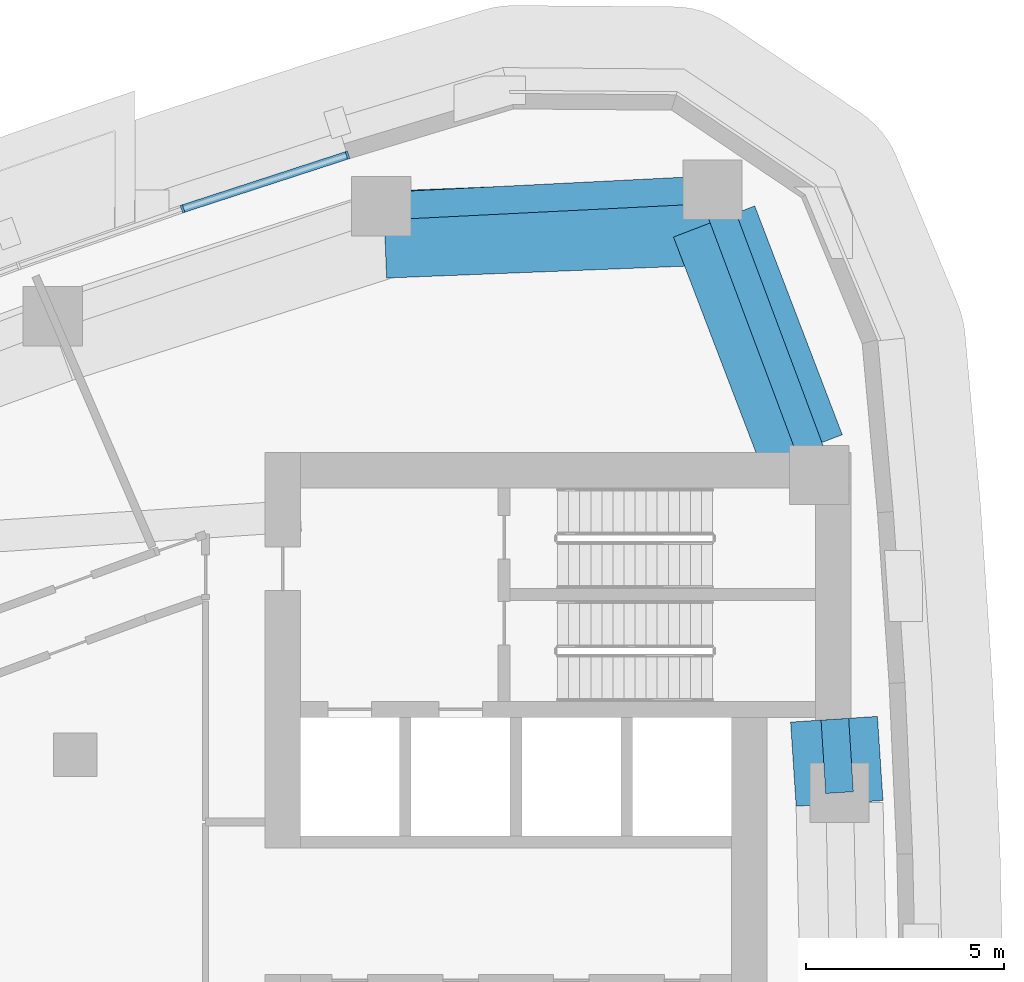
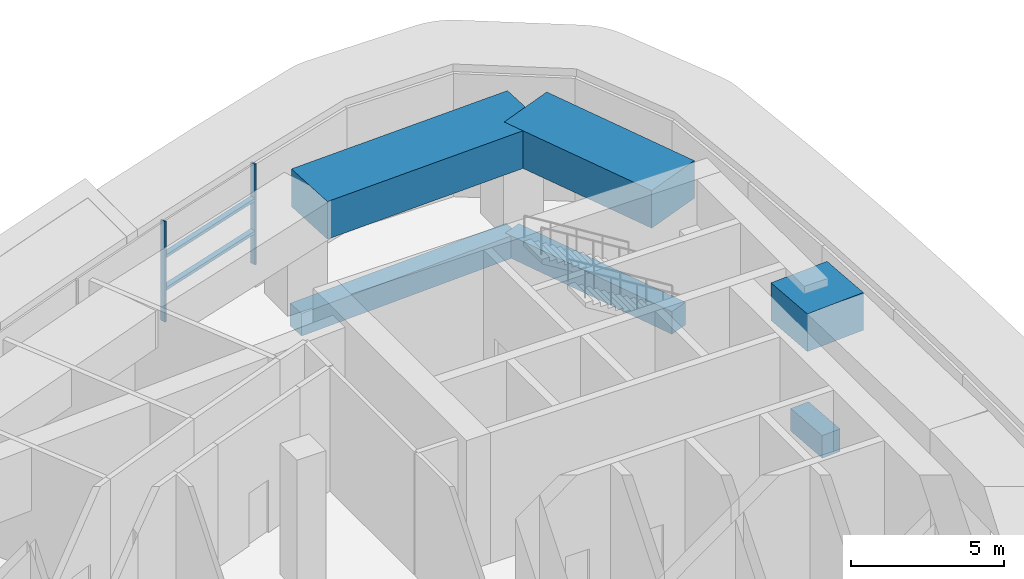
# One storey, part 8 of 18: 6 beams, 4 members, 1 element without a shape of its own.
"""IFC4 building model written with IfcOpenShell, lengths in metres."""

from ifc_helpers import new_model, si_unit, direction, frame, origin, origin_2d, place, context, subcontext, project, spatial, rectangle, extrude, material, layer, layer_set, material_profile, profile_set, type_object, element, aggregate, save


model = new_model("IFC4")

# Units and contexts
model_context = context("Model", 3, precision=1e-05, world=origin(), true_north=direction((0.0, 1.0)))
body_context = subcontext(model_context, "Body", "Model", "MODEL_VIEW")
ifc_project = project(units=[si_unit("LENGTHUNIT", "METRE"), si_unit("AREAUNIT", "SQUARE_METRE"), si_unit("VOLUMEUNIT", "CUBIC_METRE"), si_unit("PLANEANGLEUNIT", "RADIAN"), si_unit("MASSUNIT", "GRAM", prefix="KILO")], contexts=[model_context])

# Site, building, storey
site_placement = place(None, origin())
site = spatial("IfcSite", under=ifc_project, at=site_placement, CompositionType="ELEMENT")
building_placement = place(site_placement, origin())
building = spatial("IfcBuilding", under=site, at=building_placement, Name="Ostrand Prow Hotel Tower", CompositionType="ELEMENT")
storey_placement = place(building_placement, frame((0.0, 0.0, 165.699951171875)))
storey = spatial("IfcBuildingStorey", under=building, at=storey_placement, Name="L41", CompositionType="ELEMENT", Elevation=165.699951171875)

# Beams
ifc_material_1 = material(Name="Concrete C70/85", Category="concrete")
ifc_material_profile_1 = material_profile(ifc_material_1, rectangle(XDim=2.199951171875, YDim=1.5, at=origin_2d()), Name="RC 2200x1500")
ifc_profile_set_1 = profile_set([ifc_material_profile_1], Name="Concrete C70/85")
beam_type_1 = type_object("IfcBeamType", Name="Belt girder 2200x1500 C70/85", PredefinedType="BEAM", material=ifc_profile_set_1)
beam_1_placement = place(storey_placement, frame((64.330078125, 7.77197265625, 4.150146484375), z_axis=(-0.065599561108, 0.997846028996, 0.0), x_axis=(-0.997846028996, -0.065599561108, 0.0)))
element("IfcBeam", 1, at=beam_1_placement, inside=storey, type_object=beam_type_1, Name="Belt girder B4-B5", PredefinedType="BEAM", context=body_context, shape_type="SweptSolid", body=[
    extrude(rectangle(XDim=2.199951171875, YDim=1.5, at=origin_2d()), origin(), (0.0, 0.0, 1.0), 2.132568359375),
])
beam_2_placement = place(storey_placement, frame((63.3720703125, 16.699951171875, 4.150146484375), z_axis=(-0.357465148748, 0.9339264786, 0.0), x_axis=(-0.9339264786, -0.357465148748, 0.0)))
element("IfcBeam", 2, at=beam_2_placement, inside=storey, type_object=beam_type_1, Name="Belt girder B5-NE", PredefinedType="BEAM", context=body_context, shape_type="SweptSolid", body=[
    extrude(rectangle(XDim=2.199951171875, YDim=1.5, at=origin_2d()), origin(), (0.0, 0.0, 1.0), 6.19384765625),
])
beam_3_placement = place(storey_placement, frame((61.157958984375, 22.484619140625, 4.150146484375), z_axis=(-0.999210154281, -0.039737483333, 0.0), x_axis=(0.039737483333, -0.999210154281, 0.0)))
element("IfcBeam", 3, at=beam_3_placement, inside=storey, type_object=beam_type_1, Name="Belt girder NE-N1", PredefinedType="BEAM", context=body_context, shape_type="SweptSolid", body=[
    extrude(rectangle(XDim=2.199951171875, YDim=1.5, at=origin_2d()), origin(), (0.0, 0.0, 1.0), 8.3310546875),
])
ifc_material_2 = material(Name="Concrete C70/85", Category="concrete")
ifc_material_profile_2 = material_profile(ifc_material_2, rectangle(XDim=0.699951171875, YDim=0.89990234375, at=origin_2d()), Name="RC 700x900")
ifc_profile_set_2 = profile_set([ifc_material_profile_2], Name="Concrete C70/85")
beam_type_2 = type_object("IfcBeamType", Name="Edge beam 700x900 C70/85", PredefinedType="SPANDREL", material=ifc_profile_set_2)
beam_4_placement = place(storey_placement, frame((64.32958984375, 8.044677734375, -0.849853515625), z_axis=(-0.063563790544, 0.997977777574, 0.0), x_axis=(-0.997977777574, -0.063563790544, 0.0)))
element("IfcBeam", 4, at=beam_4_placement, inside=storey, type_object=beam_type_2, Name="Edge beam B4-B5", PredefinedType="SPANDREL", context=body_context, shape_type="SweptSolid", body=[
    extrude(rectangle(XDim=0.699951171875, YDim=0.89990234375, at=origin_2d()), origin(), (0.0, 0.0, 1.0), 1.85888671875),
])
beam_5_placement = place(storey_placement, frame((63.584716796875, 16.699951171875, -0.849853515625), z_axis=(-0.350602524344, 0.93652435629, 0.0), x_axis=(-0.93652435629, -0.350602524344, 0.0)))
element("IfcBeam", 5, at=beam_5_placement, inside=storey, type_object=beam_type_2, Name="Edge beam B5-NE", PredefinedType="SPANDREL", context=body_context, shape_type="SweptSolid", body=[
    extrude(rectangle(XDim=0.699951171875, YDim=0.89990234375, at=origin_2d()), origin(), (0.0, 0.0, 1.0), 7.037353515625),
])
beam_6_placement = place(storey_placement, frame((61.117431640625, 23.29052734375, -0.849853515625), z_axis=(-0.99873741544, -0.050235196825, 0.0), x_axis=(0.050235196825, -0.99873741544, 0.0)))
element("IfcBeam", 6, at=beam_6_placement, inside=storey, type_object=beam_type_2, Name="Edge beam NE-N1", PredefinedType="SPANDREL", context=body_context, shape_type="SweptSolid", body=[
    extrude(rectangle(XDim=0.699951171875, YDim=0.89990234375, at=origin_2d()), origin(), (0.0, 0.0, 1.0), 8.38818359375),
])

# Curtain wall, members
ifc_material_3 = material(Name="Insulated glass in bronze anodised frame", Category="glass")
ifc_layer = layer(ifc_material_3, 0.199951171875)
ifc_layer_set = layer_set([ifc_layer], Name="Insulated glass in bronze anodised frame")
curtain_wall_type = type_object("IfcCurtainWallType", Name="Plant storey louvre wall", PredefinedType="NOTDEFINED", material=ifc_layer_set)
curtain_wall_placement = place(storey_placement, origin())
curtain_wall = element("IfcCurtainWall", 7, at=curtain_wall_placement, inside=storey, type_object=curtain_wall_type, Name="CW7 run CWN1", PredefinedType="NOTDEFINED")
ifc_material_4 = material(Name="Bronze anodised aluminium", Category="aluminium")
ifc_material_profile_3 = material_profile(ifc_material_4, rectangle(XDim=0.199951171875, YDim=0.06005859375, at=origin_2d()), Name="Mullion 60x200 bronze anodised aluminium")
ifc_profile_set_3 = profile_set([ifc_material_profile_3], Name="Bronze anodised aluminium")
member_type_1 = type_object("IfcMemberType", Name="Mullion 60x200 bronze anodised aluminium", PredefinedType="MULLION", material=ifc_profile_set_3)
member_1_placement = place(storey_placement, frame((51.888916015625, 24.16162109375, 0.900146484375), z_axis=(0.0, 0.0, 1.0), x_axis=(0.309380491373, -0.950938332153, 0.0)))
member_1 = element("IfcMember", 8, at=member_1_placement, type_object=member_type_1, Name="CW7 mullion 1", PredefinedType="MULLION", context=body_context, shape_type="SweptSolid", body=[
    extrude(rectangle(XDim=0.199951171875, YDim=0.06005859375, at=origin_2d()), origin(), (0.0, 0.0, 1.0), 4.0),
])
member_2_placement = place(storey_placement, frame((47.718017578125, 22.8046875, 0.900146484375), z_axis=(0.0, 0.0, 1.0), x_axis=(0.328428177424, -0.944528947293, 0.0)))
member_2 = element("IfcMember", 9, at=member_2_placement, type_object=member_type_1, Name="CW7 mullion 2", PredefinedType="MULLION", context=body_context, shape_type="SweptSolid", body=[
    extrude(rectangle(XDim=0.199951171875, YDim=0.06005859375, at=origin_2d()), origin(), (0.0, 0.0, 1.0), 4.0),
])
ifc_material_5 = material(Name="Bronze anodised aluminium", Category="aluminium")
ifc_material_profile_4 = material_profile(ifc_material_5, rectangle(XDim=0.199951171875, YDim=0.1201171875, at=origin_2d()), Name="Transom 120x200 bronze anodised aluminium")
ifc_profile_set_4 = profile_set([ifc_material_profile_4], Name="Bronze anodised aluminium")
member_type_2 = type_object("IfcMemberType", Name="Transom 120x200 bronze anodised aluminium", PredefinedType="USERDEFINED", material=ifc_profile_set_4)
member_3_placement = place(storey_placement, frame((51.8603515625, 24.15234375, 2.199951171875), z_axis=(-0.950938634958, -0.309379560643, 0.0), x_axis=(0.309379560643, -0.950938634958, 0.0)))
member_3 = element("IfcMember", 10, at=member_3_placement, type_object=member_type_2, Name="CW7 transom 1.1", ObjectType="TRANSOM", PredefinedType="USERDEFINED", context=body_context, shape_type="SweptSolid", body=[
    extrude(rectangle(XDim=0.199951171875, YDim=0.1201171875, at=origin_2d()), origin(), (0.0, 0.0, 1.0), 4.325927734375),
])
member_4_placement = place(storey_placement, frame((51.8603515625, 24.15234375, 3.5), z_axis=(-0.950938634958, -0.309379560643, 0.0), x_axis=(0.309379560643, -0.950938634958, 0.0)))
member_4 = element("IfcMember", 11, at=member_4_placement, type_object=member_type_2, Name="CW7 transom 1.2", ObjectType="TRANSOM", PredefinedType="USERDEFINED", context=body_context, shape_type="SweptSolid", body=[
    extrude(rectangle(XDim=0.199951171875, YDim=0.1201171875, at=origin_2d()), origin(), (0.0, 0.0, 1.0), 4.325927734375),
])
aggregate(curtain_wall, [member_1, member_2, member_3, member_4])

save(model, "model.ifc")
